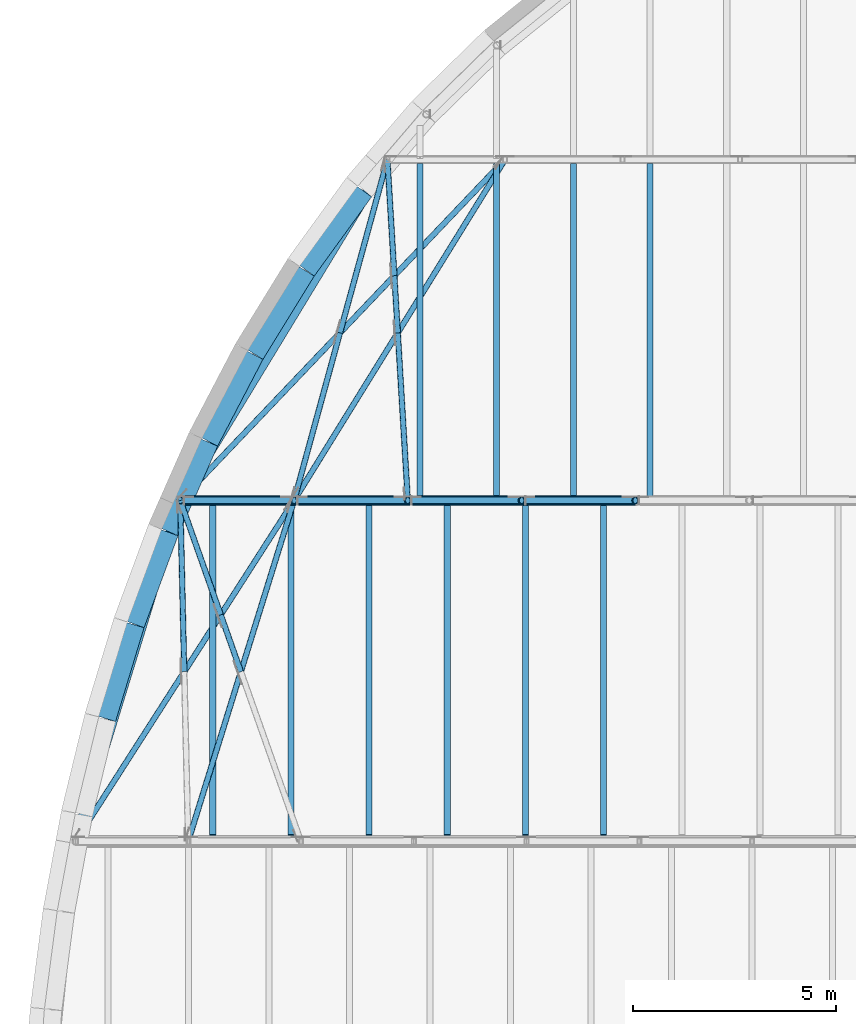
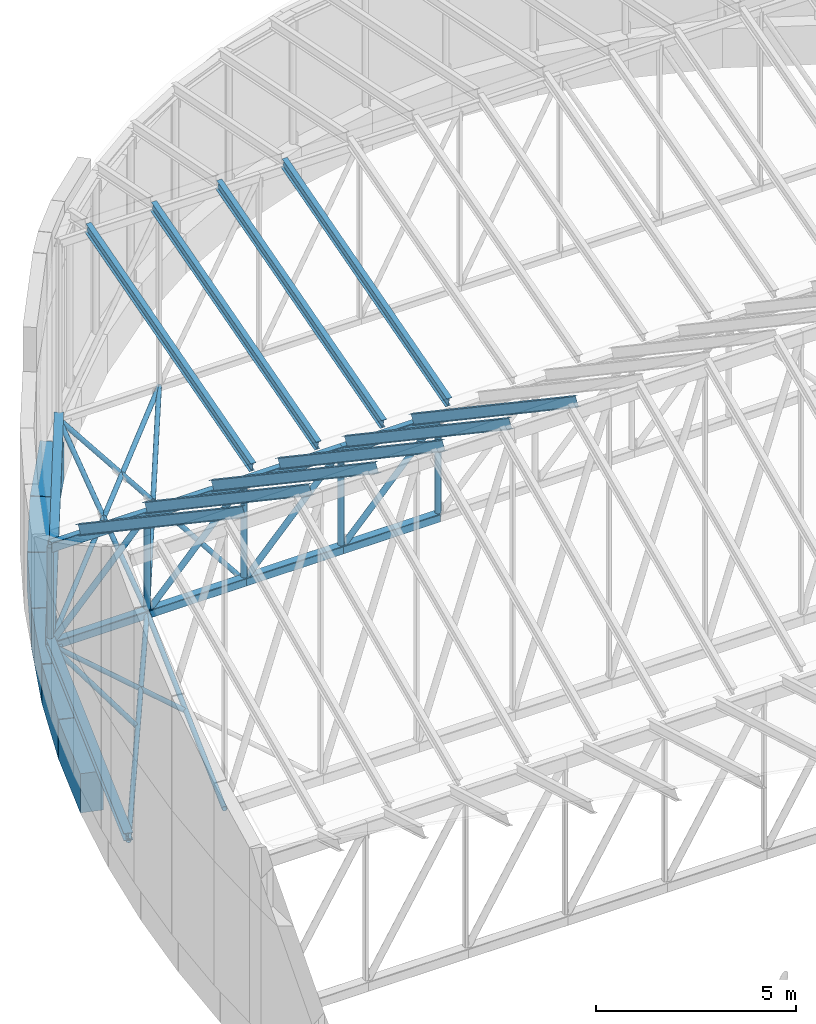
# One storey, part 28 of 68: 31 members, 16 beams.
"""IFC4 building model written with IfcOpenShell, lengths in metres."""

from ifc_helpers import new_model, si_unit, direction, frame, origin, origin_2d, place, context, subcontext, project, spatial, rectangle, hollow_rectangle, hollow_circle, i_section, extrude, material, material_profile, profile_set, type_object, element, save


model = new_model("IFC4")

# Units and contexts
model_context = context("Model", 3, precision=1e-05, world=origin(), true_north=direction((0.0, 1.0)))
body_context = subcontext(model_context, "Body", "Model", "MODEL_VIEW")
ifc_project = project(units=[si_unit("LENGTHUNIT", "METRE"), si_unit("AREAUNIT", "SQUARE_METRE"), si_unit("VOLUMEUNIT", "CUBIC_METRE"), si_unit("PLANEANGLEUNIT", "RADIAN"), si_unit("MASSUNIT", "GRAM", prefix="KILO")], contexts=[model_context])

# Site, building, storey
site_placement = place(None, origin())
site = spatial("IfcSite", under=ifc_project, at=site_placement, CompositionType="ELEMENT")
building_placement = place(site_placement, origin())
building = spatial("IfcBuilding", under=site, at=building_placement, Name="Larchfold Concert Hall", CompositionType="ELEMENT")
storey_placement = place(building_placement, frame((0.0, 0.0, 28.800048828125)))
storey = spatial("IfcBuildingStorey", under=building, at=storey_placement, Name="L06", CompositionType="ELEMENT", Elevation=28.800048828125)

# Beams
ifc_material_1 = material(Name="Concrete C40/50", Category="concrete")
ifc_material_profile_1 = material_profile(ifc_material_1, rectangle(XDim=0.60009765625, YDim=1.199951171875, at=origin_2d()))
ifc_profile_set_1 = profile_set([ifc_material_profile_1], Name="Concrete C40/50")
beam_type_1 = type_object("IfcBeamType", Name="Beam RC 600x1200", PredefinedType="BEAM", material=ifc_profile_set_1)
beam_1_placement = place(storey_placement, frame((26.042724609375, 109.65966796875, -0.60009765625), z_axis=(-0.586677063996, -0.809820981811, 0.0), x_axis=(0.809820981811, -0.586677063996, 0.0)))
element("IfcBeam", 1, at=beam_1_placement, inside=storey, type_object=beam_type_1, Name="Beam RB28", PredefinedType="BEAM", context=body_context, shape_type="SweptSolid", body=[
    extrude(rectangle(XDim=0.60009765625, YDim=1.199951171875, at=origin_2d()), origin(), (0.0, 0.0, 1.0), 2.410400390625),
])
beam_2_placement = place(storey_placement, frame((24.6162109375, 107.689208984375, -0.60009765625), z_axis=(-0.52408048107, -0.851668743915, 0.0), x_axis=(0.851668743915, -0.52408048107, 0.0)))
element("IfcBeam", 2, at=beam_2_placement, inside=storey, type_object=beam_type_1, Name="Beam RB29", PredefinedType="BEAM", context=body_context, shape_type="SweptSolid", body=[
    extrude(rectangle(XDim=0.60009765625, YDim=1.199951171875, at=origin_2d()), origin(), (0.0, 0.0, 1.0), 2.41162109375),
])
beam_3_placement = place(storey_placement, frame((23.341796875, 105.616943359375, -0.60009765625), z_axis=(-0.463125995803, -0.886292452868, 0.0), x_axis=(0.886292452868, -0.463125995803, 0.0)))
element("IfcBeam", 3, at=beam_3_placement, inside=storey, type_object=beam_type_1, Name="Beam RB30", PredefinedType="BEAM", context=body_context, shape_type="SweptSolid", body=[
    extrude(rectangle(XDim=0.60009765625, YDim=1.199951171875, at=origin_2d()), origin(), (0.0, 0.0, 1.0), 2.413330078125),
])
beam_4_placement = place(storey_placement, frame((22.215576171875, 103.460205078125, -0.60009765625), z_axis=(-0.404157946106, -0.914689212027, 0.0), x_axis=(0.914689212027, -0.404157946106, 0.0)))
element("IfcBeam", 4, at=beam_4_placement, inside=storey, type_object=beam_type_1, Name="Beam RB31", PredefinedType="BEAM", context=body_context, shape_type="SweptSolid", body=[
    extrude(rectangle(XDim=0.60009765625, YDim=1.199951171875, at=origin_2d()), origin(), (0.0, 0.0, 1.0), 2.41455078125),
])
beam_5_placement = place(storey_placement, frame((21.23291015625, 101.234375, -0.60009765625), z_axis=(-0.346567014647, -0.938025215204, 0.0), x_axis=(0.938025215204, -0.346567014647, 0.0)))
element("IfcBeam", 5, at=beam_5_placement, inside=storey, type_object=beam_type_1, Name="Beam RB32", PredefinedType="BEAM", context=body_context, shape_type="SweptSolid", body=[
    extrude(rectangle(XDim=0.60009765625, YDim=1.199951171875, at=origin_2d()), origin(), (0.0, 0.0, 1.0), 2.41552734375),
])
beam_6_placement = place(storey_placement, frame((20.389892578125, 98.95166015625, -0.60009765625), z_axis=(-0.290562544649, -0.956856001521, 0.0), x_axis=(0.956856001521, -0.290562544649, 0.0)))
element("IfcBeam", 6, at=beam_6_placement, inside=storey, type_object=beam_type_1, Name="Beam RB33", PredefinedType="BEAM", context=body_context, shape_type="SweptSolid", body=[
    extrude(rectangle(XDim=0.60009765625, YDim=1.199951171875, at=origin_2d()), origin(), (0.0, 0.0, 1.0), 2.41650390625),
])

# Members
ifc_material_2 = material(Name="Steel S355J2H", Category="steel")
ifc_material_profile_2 = material_profile(ifc_material_2, hollow_circle(Radius=0.06982421875, WallThickness=0.00634765625, at=origin_2d()))
ifc_profile_set_2 = profile_set([ifc_material_profile_2], Name="Steel S355J2H")
member_type_1 = type_object("IfcMemberType", Name="Bracing CHS 139.7x6.3", PredefinedType="BRACE", material=ifc_profile_set_2)
member_1_placement = place(storey_placement, frame((18.987548828125, 93.60009765625, 0.0), z_axis=(0.539819947976, 0.84178050807, 0.0), x_axis=(-0.84178050807, 0.539819947976, 0.0)))
element("IfcMember", 7, at=member_1_placement, inside=storey, type_object=member_type_1, Name="Member FB025", PredefinedType="BRACE", context=body_context, shape_type="SweptSolid", body=[
    extrude(hollow_circle(Radius=0.06982421875, WallThickness=0.00634765625, at=origin_2d()), origin(), (0.0, 0.0, 1.0), 9.978759765625),
])
member_2_placement = place(storey_placement, frame((21.668212890625, 97.7802734375, 0.0), z_axis=(-0.023194406411, 0.999730973568, 0.0), x_axis=(-0.999730973568, -0.023194406411, 0.0)))
element("IfcMember", 8, at=member_2_placement, inside=storey, type_object=member_type_1, Name="Member FB027", PredefinedType="BRACE", context=body_context, shape_type="SweptSolid", body=[
    extrude(hollow_circle(Radius=0.06982421875, WallThickness=0.00634765625, at=origin_2d()), origin(), (0.0, 0.0, 1.0), 4.220947265625),
])
member_3_placement = place(storey_placement, frame((21.765380859375, 93.60009765625, 0.0), z_axis=(0.296608738163, 0.954999087144, 0.0), x_axis=(-0.954999087144, 0.296608738163, 0.0)))
element("IfcMember", 9, at=member_3_placement, inside=storey, type_object=member_type_1, Name="Member FB028", PredefinedType="BRACE", context=body_context, shape_type="SweptSolid", body=[
    extrude(hollow_circle(Radius=0.06982421875, WallThickness=0.00634765625, at=origin_2d()), origin(), (0.0, 0.0, 1.0), 8.795654296875),
])
member_4_placement = place(storey_placement, frame((23.063720703125, 97.780517578125, 0.0), z_axis=(-0.333558450662, 0.942729420349, 0.0), x_axis=(-0.942729420349, -0.333558450662, 0.0)))
element("IfcMember", 10, at=member_4_placement, inside=storey, type_object=member_type_1, Name="Member FB030", PredefinedType="BRACE", context=body_context, shape_type="SweptSolid", body=[
    extrude(hollow_circle(Radius=0.06982421875, WallThickness=0.00634765625, at=origin_2d()), origin(), (0.0, 0.0, 1.0), 1.4873046875),
])
member_5_placement = place(storey_placement, frame((22.567626953125, 99.1826171875, 0.0), z_axis=(-0.333695922014, 0.942680768676, 0.0), x_axis=(-0.942680768676, -0.333695922014, 0.0)))
element("IfcMember", 11, at=member_5_placement, inside=storey, type_object=member_type_1, Name="Member FB031", PredefinedType="BRACE", context=body_context, shape_type="SweptSolid", body=[
    extrude(hollow_circle(Radius=0.06982421875, WallThickness=0.00634765625, at=origin_2d()), origin(), (0.0, 0.0, 1.0), 2.98876953125),
])
member_6_placement = place(storey_placement, frame((21.5703125, 102.0, 0.0), z_axis=(0.689681448332, 0.724112905441, 0.0), x_axis=(-0.724112905441, 0.689681448332, 0.0)))
element("IfcMember", 12, at=member_6_placement, inside=storey, type_object=member_type_1, Name="Member FB032", PredefinedType="BRACE", context=body_context, shape_type="SweptSolid", body=[
    extrude(hollow_circle(Radius=0.06982421875, WallThickness=0.00634765625, at=origin_2d()), origin(), (0.0, 0.0, 1.0), 11.600341796875),
])
member_7_placement = place(storey_placement, frame((24.374267578125, 102.0, 0.0), z_axis=(0.264206832028, 0.964466043938, 0.0), x_axis=(-0.964466043938, 0.264206832028, 0.0)))
element("IfcMember", 13, at=member_7_placement, inside=storey, type_object=member_type_1, Name="Member FB033", PredefinedType="BRACE", context=body_context, shape_type="SweptSolid", body=[
    extrude(hollow_circle(Radius=0.06982421875, WallThickness=0.00634765625, at=origin_2d()), origin(), (0.0, 0.0, 1.0), 4.284912109375),
])
member_8_placement = place(storey_placement, frame((25.50634765625, 106.132568359375, 0.0), z_axis=(0.26419577338, 0.964469073288, 0.0), x_axis=(-0.964469073288, 0.26419577338, 0.0)))
element("IfcMember", 14, at=member_8_placement, inside=storey, type_object=member_type_1, Name="Member FB034", PredefinedType="BRACE", context=body_context, shape_type="SweptSolid", body=[
    extrude(hollow_circle(Radius=0.06982421875, WallThickness=0.00634765625, at=origin_2d()), origin(), (0.0, 0.0, 1.0), 4.424560546875),
])
member_9_placement = place(storey_placement, frame((24.374267578125, 102.0, 0.0), z_axis=(0.526105272584, 0.850419450718, 0.0), x_axis=(-0.850419450718, 0.526105272584, 0.0)))
element("IfcMember", 15, at=member_9_placement, inside=storey, type_object=member_type_1, Name="Member FB035", PredefinedType="BRACE", context=body_context, shape_type="SweptSolid", body=[
    extrude(hollow_circle(Radius=0.06982421875, WallThickness=0.00634765625, at=origin_2d()), origin(), (0.0, 0.0, 1.0), 9.87744140625),
])
member_10_placement = place(storey_placement, frame((27.17822265625, 102.0, 0.0), z_axis=(-0.059738338371, 0.998214070693, 0.0), x_axis=(-0.998214070693, -0.059738338371, 0.0)))
element("IfcMember", 16, at=member_10_placement, inside=storey, type_object=member_type_1, Name="Member FB036", PredefinedType="BRACE", context=body_context, shape_type="SweptSolid", body=[
    extrude(hollow_circle(Radius=0.06982421875, WallThickness=0.00634765625, at=origin_2d()), origin(), (0.0, 0.0, 1.0), 4.139892578125),
])
member_11_placement = place(storey_placement, frame((26.930908203125, 106.132568359375, 0.0), z_axis=(-0.059930259941, 0.998202566588, 0.0), x_axis=(-0.998202566588, -0.059930259941, 0.0)))
element("IfcMember", 17, at=member_11_placement, inside=storey, type_object=member_type_1, Name="Member FB037", PredefinedType="BRACE", context=body_context, shape_type="SweptSolid", body=[
    extrude(hollow_circle(Radius=0.06982421875, WallThickness=0.00634765625, at=origin_2d()), origin(), (0.0, 0.0, 1.0), 1.409423828125),
])
member_12_placement = place(storey_placement, frame((26.846435546875, 107.53955078125, 0.0), z_axis=(-0.059725894974, 0.998214815293, 0.0), x_axis=(-0.998214815293, -0.059725894974, 0.0)))
element("IfcMember", 18, at=member_12_placement, inside=storey, type_object=member_type_1, Name="Member FB038", PredefinedType="BRACE", context=body_context, shape_type="SweptSolid", body=[
    extrude(hollow_circle(Radius=0.06982421875, WallThickness=0.00634765625, at=origin_2d()), origin(), (0.0, 0.0, 1.0), 2.865478515625),
])
ifc_material_3 = material(Name="Steel S355", Category="steel")
ifc_material_profile_3 = material_profile(ifc_material_3, i_section(OverallWidth=0.14990234375, OverallDepth=0.300048828125, WebThickness=0.007080078125, FlangeThickness=0.0107421875, FilletRadius=0.014892578125, at=origin_2d()))
ifc_profile_set_3 = profile_set([ifc_material_profile_3], Name="Steel S355")
member_type_2 = type_object("IfcMemberType", Name="Rafter IPE 300", PredefinedType="RAFTER", material=ifc_profile_set_3)
for number, where, z_axis, x_axis, name in (
    (19, (22.370361328125, 93.68017578125, 8.82470703125), (0.0, 0.829762477802, -0.558116681736), (-1.0, 0.0, 0.0), "Member RF0090"),
    (20, (24.296875, 93.68017578125, 8.82470703125), (0.0, 0.829762477802, -0.558116681736), (-1.0, 0.0, 0.0), "Member RF0091"),
    (21, (26.2236328125, 93.68017578125, 8.82470703125), (0.0, 0.829762477802, -0.558116681736), (-1.0, 0.0, 0.0), "Member RF0092"),
    (22, (28.150146484375, 93.68017578125, 8.82470703125), (0.0, 0.829762477802, -0.558116681736), (-1.0, 0.0, 0.0), "Member RF0093"),
    (23, (30.076904296875, 93.68017578125, 8.82470703125), (0.0, 0.829762477802, -0.558116681736), (-1.0, 0.0, 0.0), "Member RF0094"),
    (24, (32.003662109375, 93.68017578125, 8.82470703125), (0.0, 0.829762477802, -0.558116681736), (-1.0, 0.0, 0.0), "Member RF0095"),
):
    element("IfcMember", number, at=place(storey_placement, frame(where, z_axis=z_axis, x_axis=x_axis)), inside=storey, type_object=member_type_2, Name=name, PredefinedType="RAFTER", context=body_context, shape_type="SweptSolid", body=[
        extrude(i_section(OverallWidth=0.14990234375, OverallDepth=0.300048828125, WebThickness=0.007080078125, FlangeThickness=0.0107421875, FilletRadius=0.014892578125, at=origin_2d()), origin(), (0.0, 0.0, 1.0), 9.93017578125),
    ])
for number, where, z_axis, x_axis, name in (
    (25, (27.475341796875, 102.080078125, 3.30224609375), (0.0, 0.962273331526, 0.272084610799), (-1.0, 0.0, 0.0), "Member RF0112"),
    (26, (29.365966796875, 102.080078125, 3.30224609375), (0.0, 0.962273331526, 0.272084610799), (-1.0, 0.0, 0.0), "Member RF0113"),
    (27, (31.256591796875, 102.080078125, 3.30224609375), (0.0, 0.962273331526, 0.272084610799), (-1.0, 0.0, 0.0), "Member RF0114"),
    (28, (33.14697265625, 102.080078125, 3.30224609375), (0.0, 0.962273331526, 0.272084610799), (-1.0, 0.0, 0.0), "Member RF0115"),
):
    element("IfcMember", number, at=place(storey_placement, frame(where, z_axis=z_axis, x_axis=x_axis)), inside=storey, type_object=member_type_2, Name=name, PredefinedType="RAFTER", context=body_context, shape_type="SweptSolid", body=[
        extrude(i_section(OverallWidth=0.14990234375, OverallDepth=0.300048828125, WebThickness=0.007080078125, FlangeThickness=0.0107421875, FilletRadius=0.014892578125, at=origin_2d()), origin(), (0.0, 0.0, 1.0), 8.5888671875),
    ])

# Beams
ifc_material_4 = material(Name="Steel S355", Category="steel")
ifc_material_profile_4 = material_profile(ifc_material_4, i_section(OverallWidth=0.239990234375, OverallDepth=0.22998046875, WebThickness=0.007568359375, FlangeThickness=0.011962890625, FilletRadius=0.02099609375, at=origin_2d()))
ifc_profile_set_4 = profile_set([ifc_material_profile_4], Name="Steel S355")
beam_type_2 = type_object("IfcBeamType", Name="Steel beam HEA 240", PredefinedType="BEAM", material=ifc_profile_set_4)
beam_7_placement = place(storey_placement, frame((18.987548828125, 93.60009765625, 0.114990234375), z_axis=(0.293896480937, 0.955837255234, 0.0), x_axis=(-0.955837255234, 0.293896480937, 0.0)))
element("IfcBeam", 29, at=beam_7_placement, inside=storey, type_object=beam_type_2, Name="Beam EM05", PredefinedType="BEAM", context=body_context, shape_type="SweptSolid", body=[
    extrude(i_section(OverallWidth=0.239990234375, OverallDepth=0.22998046875, WebThickness=0.007568359375, FlangeThickness=0.011962890625, FilletRadius=0.02099609375, at=origin_2d()), origin(), (0.0, 0.0, 1.0), 8.7880859375),
])
beam_8_placement = place(storey_placement, frame((21.5703125, 102.0, 0.114990234375), z_axis=(0.519352707467, 0.854559983411, 0.0), x_axis=(-0.854559983411, 0.519352707467, 0.0)))
element("IfcBeam", 30, at=beam_8_placement, inside=storey, type_object=beam_type_2, Name="Beam EM06", PredefinedType="BEAM", context=body_context, shape_type="SweptSolid", body=[
    extrude(i_section(OverallWidth=0.239990234375, OverallDepth=0.22998046875, WebThickness=0.007568359375, FlangeThickness=0.011962890625, FilletRadius=0.02099609375, at=origin_2d()), origin(), (0.0, 0.0, 1.0), 9.82958984375),
])
ifc_material_5 = material(Name="Steel S355J2H", Category="steel")
ifc_material_profile_5 = material_profile(ifc_material_5, hollow_rectangle(XDim=0.199951171875, YDim=0.300048828125, WallThickness=0.012451171875, InnerFilletRadius=0.018798828125, OuterFilletRadius=0.03125, at=origin_2d()))
ifc_profile_set_5 = profile_set([ifc_material_profile_5], Name="Steel S355J2H")
beam_type_3 = type_object("IfcBeamType", Name="Truss chord RHS 300x200x12.5", PredefinedType="BEAM", material=ifc_profile_set_5)
for number, where, z_axis, x_axis, name in (
    (31, (21.5703125, 102.0, 3.0), (1.0, 0.0, 0.0), (0.0, 1.0, 0.0), "Beam FT6T01"),
    (32, (24.374267578125, 102.0, 3.0), (1.0, 0.0, 0.0), (0.0, 1.0, 0.0), "Beam FT6T02"),
    (33, (27.17822265625, 102.0, 3.0), (1.0, 0.0, 0.0), (0.0, 1.0, 0.0), "Beam FT6T03"),
    (34, (29.982177734375, 102.0, 3.0), (1.0, 0.0, 0.0), (0.0, 1.0, 0.0), "Beam FT6T04"),
):
    element("IfcBeam", number, at=place(storey_placement, frame(where, z_axis=z_axis, x_axis=x_axis)), inside=storey, type_object=beam_type_3, Name=name, PredefinedType="BEAM", context=body_context, shape_type="SweptSolid", body=[
        extrude(hollow_rectangle(XDim=0.199951171875, YDim=0.300048828125, WallThickness=0.012451171875, InnerFilletRadius=0.018798828125, OuterFilletRadius=0.03125, at=origin_2d()), origin(), (0.0, 0.0, 1.0), 2.803955078125),
    ])

# Members
ifc_material_6 = material(Name="Steel S355J2H", Category="steel")
ifc_material_profile_6 = material_profile(ifc_material_6, hollow_circle(Radius=0.084228515625, WallThickness=0.008056640625, at=origin_2d()))
ifc_profile_set_6 = profile_set([ifc_material_profile_6], Name="Steel S355J2H")
member_type_3 = type_object("IfcMemberType", Name="Truss post CHS 168.3x8", PredefinedType="POST", material=ifc_profile_set_6)
for number, where, z_axis, x_axis, name in (
    (35, (21.5703125, 102.0, 3.0), (0.0, 0.0, -1.0), (1.0, 0.0, 0.0), "Member FT6V01"),
    (36, (24.374267578125, 102.0, 3.0), (0.0, 0.0, -1.0), (1.0, 0.0, 0.0), "Member FT6V02"),
    (37, (27.17822265625, 102.0, 3.0), (0.0, 0.0, -1.0), (1.0, 0.0, 0.0), "Member FT6V03"),
    (38, (29.982177734375, 102.0, 3.0), (0.0, 0.0, -1.0), (1.0, 0.0, 0.0), "Member FT6V04"),
    (39, (32.7861328125, 102.0, 3.0), (0.0, 0.0, -1.0), (1.0, 0.0, 0.0), "Member FT6V05"),
):
    element("IfcMember", number, at=place(storey_placement, frame(where, z_axis=z_axis, x_axis=x_axis)), inside=storey, type_object=member_type_3, Name=name, PredefinedType="POST", context=body_context, shape_type="SweptSolid", body=[
        extrude(hollow_circle(Radius=0.084228515625, WallThickness=0.008056640625, at=origin_2d()), origin(), (0.0, 0.0, 1.0), 3.0),
    ])

# Beams
ifc_material_7 = material(Name="Steel S355J2H", Category="steel")
ifc_material_profile_7 = material_profile(ifc_material_7, hollow_rectangle(XDim=0.25, YDim=0.25, WallThickness=0.012451171875, InnerFilletRadius=0.018798828125, OuterFilletRadius=0.03125, at=origin_2d()))
ifc_profile_set_7 = profile_set([ifc_material_profile_7], Name="Steel S355J2H")
beam_type_4 = type_object("IfcBeamType", Name="Truss tie SHS 250x250x12.5", PredefinedType="BEAM", material=ifc_profile_set_7)
for number, where, z_axis, x_axis, name in (
    (40, (21.5703125, 102.0, 0.0), (1.0, 0.0, 0.0), (0.0, 1.0, 0.0), "Beam FT6B01"),
    (41, (24.374267578125, 102.0, 0.0), (1.0, 0.0, 0.0), (0.0, 1.0, 0.0), "Beam FT6B02"),
    (42, (27.17822265625, 102.0, 0.0), (1.0, 0.0, 0.0), (0.0, 1.0, 0.0), "Beam FT6B03"),
    (43, (29.982177734375, 102.0, 0.0), (1.0, 0.0, 0.0), (0.0, 1.0, 0.0), "Beam FT6B04"),
):
    element("IfcBeam", number, at=place(storey_placement, frame(where, z_axis=z_axis, x_axis=x_axis)), inside=storey, type_object=beam_type_4, Name=name, PredefinedType="BEAM", context=body_context, shape_type="SweptSolid", body=[
        extrude(hollow_rectangle(XDim=0.25, YDim=0.25, WallThickness=0.012451171875, InnerFilletRadius=0.018798828125, OuterFilletRadius=0.03125, at=origin_2d()), origin(), (0.0, 0.0, 1.0), 2.803955078125),
    ])

# Members
ifc_material_8 = material(Name="Steel S355J2H", Category="steel")
ifc_material_profile_8 = material_profile(ifc_material_8, hollow_circle(Radius=0.084228515625, WallThickness=0.008056640625, at=origin_2d()))
ifc_profile_set_8 = profile_set([ifc_material_profile_8], Name="Steel S355J2H")
member_type_4 = type_object("IfcMemberType", Name="Truss web CHS 168.3x8", PredefinedType="BRACE", material=ifc_profile_set_8)
for number, where, z_axis, x_axis, name in (
    (44, (21.5703125, 102.0, 0.0), (0.682832834154, 0.0, 0.730574650943), (0.0, 1.0, 0.0), "Member FT6D01"),
    (45, (24.374267578125, 102.0, 0.0), (0.682832834154, 0.0, 0.730574650943), (0.0, 1.0, 0.0), "Member FT6D02"),
    (46, (27.17822265625, 102.0, 0.0), (0.682832834154, 0.0, 0.730574650943), (0.0, 1.0, 0.0), "Member FT6D03"),
    (47, (29.982177734375, 102.0, 0.0), (0.682832834154, 0.0, 0.730574650943), (0.0, 1.0, 0.0), "Member FT6D04"),
):
    element("IfcMember", number, at=place(storey_placement, frame(where, z_axis=z_axis, x_axis=x_axis)), inside=storey, type_object=member_type_4, Name=name, PredefinedType="BRACE", context=body_context, shape_type="SweptSolid", body=[
        extrude(hollow_circle(Radius=0.084228515625, WallThickness=0.008056640625, at=origin_2d()), origin(), (0.0, 0.0, 1.0), 4.1064453125),
    ])

save(model, "model.ifc")
